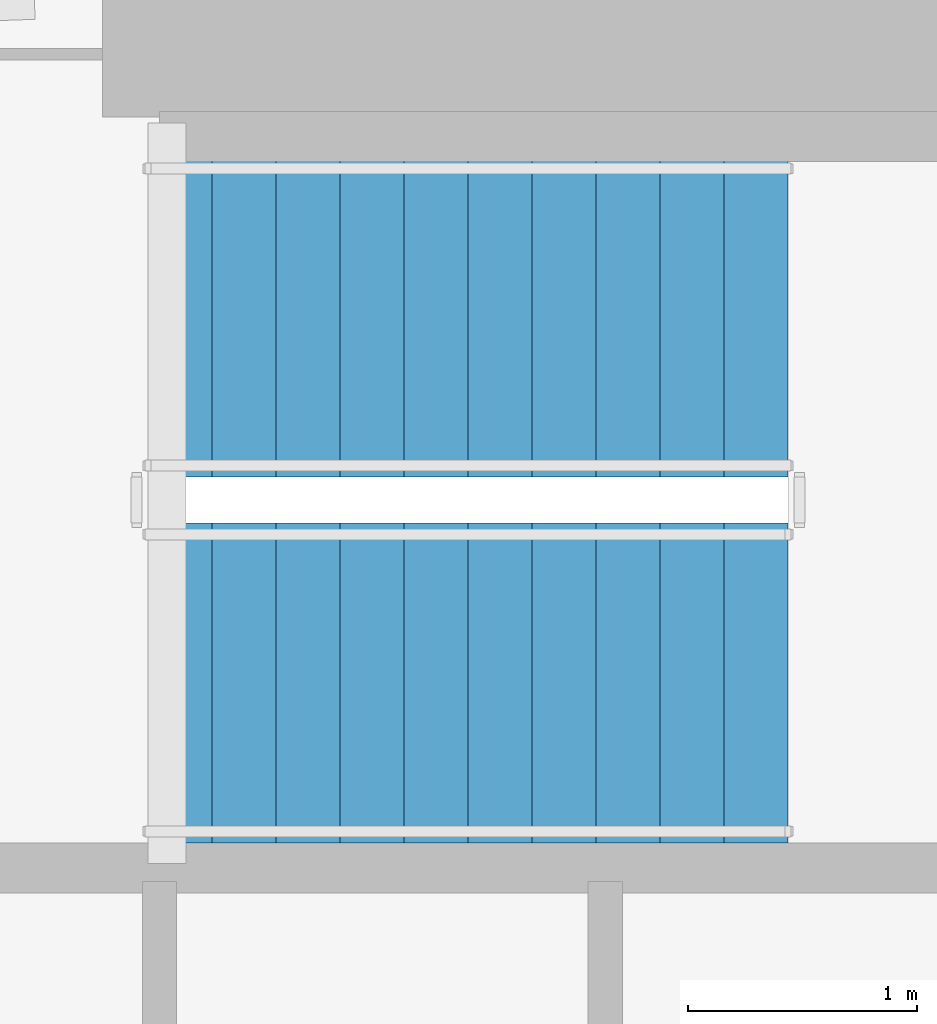
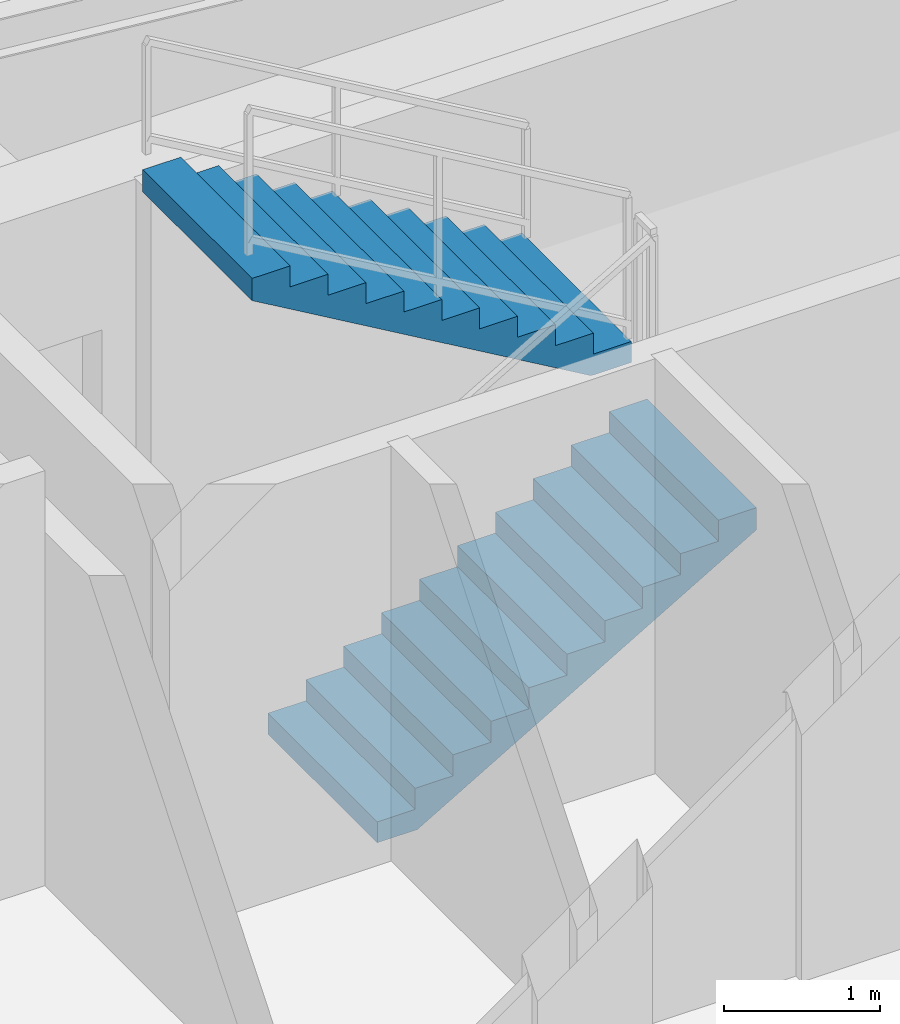
# One storey, part 16 of 19: 2 stair flights, 1 element without a shape of its own.
"""IFC4 building model written with IfcOpenShell, lengths in metres."""

import ifcopenshell
import ifcopenshell.guid

model = None  # the IFC model being written
_history = None  # IfcOwnerHistory: only IFC2X3 demands one
_inside = {}  # id of a spatial element -> (the spatial element, [elements in it])
_under = {}  # id of a project, library or spatial element -> (it, [spatial elements below it])
_declared = {}  # id of a project -> (the project, [libraries it declares])
_typed = {}  # id of a type object -> (the type object, [elements of that type])
_made_of = {}  # id of a material, layer set ... -> (it, [elements and type objects made of it])


def new_model(schema):
    """Start an empty IFC model of exactly this schema.

    Asked for "IFC4X3", IfcOpenShell would pick the latest addendum, in which some entities
    have other attributes; the version numbers below select the first issue.
    IFC2X3 requires an IfcOwnerHistory on every rooted entity: one is made here for all.
    """
    global model, _history
    if schema == "IFC4X3":
        model = ifcopenshell.file(schema_version=(4, 3, 0, 0))
    else:
        model = ifcopenshell.file(schema=schema)
    _inside.clear()
    _under.clear()
    _declared.clear()
    _typed.clear()
    _made_of.clear()
    _history = None
    if model.schema == "IFC2X3":
        org = make("IfcOrganization", Name="unknown")
        user = make(
            "IfcPersonAndOrganization",
            ThePerson=make("IfcPerson", FamilyName="unknown"),
            TheOrganization=org,
        )
        app = make(
            "IfcApplication",
            ApplicationDeveloper=org,
            Version="unknown",
            ApplicationFullName="unknown",
            ApplicationIdentifier="unknown",
        )
        _history = make(
            "IfcOwnerHistory",
            OwningUser=user,
            OwningApplication=app,
            ChangeAction="ADDED",
            CreationDate=0,
        )
    return model


def make(cls, **values):
    """One entity of the class cls with the attributes given. An attribute that is None is left unset."""
    return model.create_entity(
        cls, **{name: value for name, value in values.items() if value is not None}
    )


def rooted(cls, **values):
    """An entity with a GlobalId (a new one), such as an element, a storey or a relation."""
    return make(cls, GlobalId=ifcopenshell.guid.new(), OwnerHistory=_history, **values)


def si_unit(unit_type, name, prefix=None):
    """IfcSIUnit, for example si_unit("LENGTHUNIT", "METRE", prefix="MILLI")."""
    return make("IfcSIUnit", UnitType=unit_type, Prefix=prefix, Name=name)


def assignment(units):
    """IfcUnitAssignment: the units of a project."""
    return None if units is None else make("IfcUnitAssignment", Units=units)


def point(xyz):
    """IfcCartesianPoint."""
    return None if xyz is None else make("IfcCartesianPoint", Coordinates=xyz)


def direction(xyz):
    """IfcDirection."""
    return None if xyz is None else make("IfcDirection", DirectionRatios=xyz)


def frame(location, z_axis=None, x_axis=None):
    """IfcAxis2Placement3D, a coordinate frame: its origin and axes. An axis left out is left unset."""
    return make(
        "IfcAxis2Placement3D",
        Location=point(location),
        Axis=direction(z_axis),
        RefDirection=direction(x_axis),
    )


def origin():
    """The frame at (0, 0, 0) with its axes left unset."""
    return frame((0.0, 0.0, 0.0))


def place(relative_to, where):
    """IfcLocalPlacement: puts the frame where relative to a parent placement (None: the world)."""
    return make(
        "IfcLocalPlacement", PlacementRelTo=relative_to, RelativePlacement=where
    )


def context(
    kind, dimensions, precision=None, world=None, true_north=None, identifier=None
):
    """IfcGeometricRepresentationContext, for example the 3D "Model" context."""
    return make(
        "IfcGeometricRepresentationContext",
        ContextIdentifier=identifier,
        ContextType=kind,
        CoordinateSpaceDimension=dimensions,
        Precision=precision,
        WorldCoordinateSystem=world,
        TrueNorth=true_north,
    )


def subcontext(parent, identifier, kind, view, scale=None):
    """IfcGeometricRepresentationSubContext, for example "Body" below "Model"."""
    return make(
        "IfcGeometricRepresentationSubContext",
        ContextIdentifier=identifier,
        ContextType=kind,
        ParentContext=parent,
        TargetScale=scale,
        TargetView=view,
    )


def project(units=None, contexts=None):
    """IfcProject with its units and contexts."""
    return rooted(
        "IfcProject",
        Name="project",
        RepresentationContexts=contexts,
        UnitsInContext=assignment(units),
    )


def spatial(cls, under=None, at=None, **own):
    """A site, building, storey or space (cls), placed at a placement, below another one or the project."""
    s = rooted(cls, ObjectPlacement=at, **own)
    if under is not None:
        _under.setdefault(under.id(), (under, []))[1].append(s)
    return s


def polyline(points):
    """IfcPolyline through the points."""
    return make("IfcPolyline", Points=[point(p) for p in points])


def outline(outer, holes=None, kind="AREA"):
    """IfcArbitraryClosedProfileDef: a profile drawn as a closed curve; with holes, ...WithVoids."""
    if holes is None:
        return make("IfcArbitraryClosedProfileDef", ProfileType=kind, OuterCurve=outer)
    return make(
        "IfcArbitraryProfileDefWithVoids",
        ProfileType=kind,
        OuterCurve=outer,
        InnerCurves=holes,
    )


def extrude(swept, where, along, depth):
    """IfcExtrudedAreaSolid: the profile swept, set in the frame where, extruded along a direction by depth."""
    return make(
        "IfcExtrudedAreaSolid",
        SweptArea=swept,
        Position=where,
        ExtrudedDirection=direction(along),
        Depth=depth,
    )


def shape(context_of_items, identifier, shape_type, items):
    """IfcShapeRepresentation: the items that make up one representation, for example the "Body"."""
    return make(
        "IfcShapeRepresentation",
        ContextOfItems=context_of_items,
        RepresentationIdentifier=identifier,
        RepresentationType=shape_type,
        Items=items,
    )


def material(Name=None, Category=None):
    """IfcMaterial."""
    return make("IfcMaterial", Name=Name, Category=Category)


def made_of(thing, what):
    """Note that an element or type object is made of a material, layer set ...; save() writes the relation."""
    if what is not None:
        _made_of.setdefault(what.id(), (what, []))[1].append(thing)
    return thing


def type_object(cls, material=None, **own):
    """A type object (cls), such as IfcWallType, which elements share."""
    return made_of(rooted(cls, **own), material)


def element(
    cls,
    number,
    at=None,
    inside=None,
    cuts=None,
    type_object=None,
    material=None,
    context=None,
    identifier="Body",
    shape_type=None,
    held_by="IfcProductDefinitionShape",
    body=None,
    shapes=None,
    **own,
):
    """One element of the class cls, such as IfcWall. Its Tag is "e" and its number.

    at: its placement. inside: the storey or other place that contains it. cuts: it is an
    opening in that element (IfcRelVoidsElement). A single representation is given by context,
    identifier, shape_type and body (its items); several are given by shapes. held_by: the class
    of the entity that holds the representations. save() writes the other relations.
    """
    e = rooted(cls, Tag="e%d" % number, ObjectPlacement=at, **own)
    if body is not None:
        shapes = [shape(context, identifier, shape_type, body)]
    if shapes is not None:
        e.Representation = make(held_by, Representations=shapes)
    if inside is not None:
        _inside.setdefault(inside.id(), (inside, []))[1].append(e)
    if cuts is not None:
        rooted(
            "IfcRelVoidsElement", RelatingBuildingElement=cuts, RelatedOpeningElement=e
        )
    if type_object is not None:
        _typed.setdefault(type_object.id(), (type_object, []))[1].append(e)
    return made_of(e, material)


def aggregate(whole, parts):
    """IfcRelAggregates: a whole, such as a stair, and the parts it consists of."""
    return rooted("IfcRelAggregates", RelatingObject=whole, RelatedObjects=parts)


def save(model, path):
    """Write the relations noted so far, then the file.

    IfcRelAggregates (storeys below a building ...), IfcRelContainedInSpatialStructure (elements
    in a storey), IfcRelDefinesByType, IfcRelAssociatesMaterial and IfcRelDeclares: one each for
    every whole, place, type object, material and project.
    """
    for whole, parts in _under.values():
        aggregate(whole, parts)
    for where, things in _inside.values():
        rooted(
            "IfcRelContainedInSpatialStructure",
            RelatedElements=things,
            RelatingStructure=where,
        )
    for kind, things in _typed.values():
        rooted("IfcRelDefinesByType", RelatedObjects=things, RelatingType=kind)
    for what, things in _made_of.values():
        rooted("IfcRelAssociatesMaterial", RelatedObjects=things, RelatingMaterial=what)
    for by, libraries in _declared.values():
        rooted("IfcRelDeclares", RelatingContext=by, RelatedDefinitions=libraries)
    model.write(path)


model = new_model("IFC4")

# Units and contexts
model_context = context("Model", 3, precision=1e-05, world=origin(), true_north=direction((0.0, 1.0)))
body_context = subcontext(model_context, "Body", "Model", "MODEL_VIEW")
ifc_project = project(units=[si_unit("LENGTHUNIT", "METRE"), si_unit("AREAUNIT", "SQUARE_METRE"), si_unit("VOLUMEUNIT", "CUBIC_METRE"), si_unit("PLANEANGLEUNIT", "RADIAN"), si_unit("MASSUNIT", "GRAM", prefix="KILO")], contexts=[model_context])

# Site, building, storey
site_placement = place(None, origin())
site = spatial("IfcSite", under=ifc_project, at=site_placement, CompositionType="ELEMENT")
building_placement = place(site_placement, origin())
building = spatial("IfcBuilding", under=site, at=building_placement, Name="Qarnah Convention Tower", CompositionType="ELEMENT")
storey_placement = place(building_placement, frame((0.0, 0.0, 228.300048828125)))
storey = spatial("IfcBuildingStorey", under=building, at=storey_placement, Name="L61", CompositionType="ELEMENT", Elevation=228.300048828125)

# Stair, stair flights
ifc_material = material(Name="Concrete C50/60", Category="concrete")
stair_type = type_object("IfcStairType", Name="STR-OFF", PredefinedType="HALF_TURN_STAIR", material=ifc_material)
stair_placement = place(storey_placement, origin())
stair = element("IfcStair", 1, at=stair_placement, inside=storey, type_object=stair_type, Name="L61 Core exit stair ST-3", PredefinedType="HALF_TURN_STAIR")
stair_flight_type = type_object("IfcStairFlightType", Name="FLT-OFF", PredefinedType="STRAIGHT", material=ifc_material)
stair_flight_1_placement = place(storey_placement, frame((37.5, 31.449951171875, 0.0), z_axis=(0.0, 0.0, 1.0), x_axis=(1.0, 0.0, 0.0)))
stair_flight_1 = element("IfcStairFlight", 2, at=stair_flight_1_placement, type_object=stair_flight_type, Name="ST-3 flight 1", NumberOfRisers=11, NumberOfTreads=10, PredefinedType="STRAIGHT", RiserHeight=0.163636364, TreadLength=0.28, context=body_context, shape_type="SweptSolid", body=[
    extrude(outline(polyline([(0.0, 0.0), (0.0, 0.16357421875), (0.280029296875, 0.16357421875), (0.280029296875, 0.327392578125), (0.56005859375, 0.327392578125), (0.56005859375, 0.490966796875), (0.840087890625, 0.490966796875), (0.840087890625, 0.654541015625), (1.1201171875, 0.654541015625), (1.1201171875, 0.818115234375), (1.39990234375, 0.818115234375), (1.39990234375, 0.98193359375), (1.679931640625, 0.98193359375), (1.679931640625, 1.1455078125), (1.9599609375, 1.1455078125), (1.9599609375, 1.30908203125), (2.239990234375, 1.30908203125), (2.239990234375, 1.47265625), (2.52001953125, 1.47265625), (2.52001953125, 1.636474609375), (2.800048828125, 1.636474609375), (2.800048828125, 1.800048828125), (2.800048828125, 1.462646484375), (0.297119140625, 0.0), (0.0, 0.0)])), frame((0.0, 0.699951171875, 0.0), z_axis=(0.0, -1.0, 0.0), x_axis=(1.0, 0.0, 0.0)), (0.0, 0.0, 1.0), 1.39990234375),
])
stair_flight_2_placement = place(storey_placement, frame((40.300048828125, 33.050048828125, 1.800048828125), z_axis=(0.0, 0.0, 1.0), x_axis=(-1.0, 0.0, 0.0)))
stair_flight_2 = element("IfcStairFlight", 3, at=stair_flight_2_placement, type_object=stair_flight_type, Name="ST-3 flight 2", NumberOfRisers=11, NumberOfTreads=10, PredefinedType="STRAIGHT", RiserHeight=0.163636364, TreadLength=0.28, context=body_context, shape_type="SweptSolid", body=[
    extrude(outline(polyline([(0.0, 0.0), (0.0, 0.16357421875), (0.280029296875, 0.16357421875), (0.280029296875, 0.327392578125), (0.56005859375, 0.327392578125), (0.56005859375, 0.490966796875), (0.840087890625, 0.490966796875), (0.840087890625, 0.654541015625), (1.1201171875, 0.654541015625), (1.1201171875, 0.818115234375), (1.39990234375, 0.818115234375), (1.39990234375, 0.98193359375), (1.679931640625, 0.98193359375), (1.679931640625, 1.1455078125), (1.9599609375, 1.1455078125), (1.9599609375, 1.30908203125), (2.239990234375, 1.30908203125), (2.239990234375, 1.47265625), (2.52001953125, 1.47265625), (2.52001953125, 1.636474609375), (2.800048828125, 1.636474609375), (2.800048828125, 1.800048828125), (2.800048828125, 1.462646484375), (0.297119140625, 0.0), (0.0, 0.0)])), frame((0.0, 0.699951171875, 0.0), z_axis=(0.0, -1.0, 0.0), x_axis=(1.0, 0.0, 0.0)), (0.0, 0.0, 1.0), 1.39990234375),
])
aggregate(stair, [stair_flight_1, stair_flight_2])

save(model, "model.ifc")
